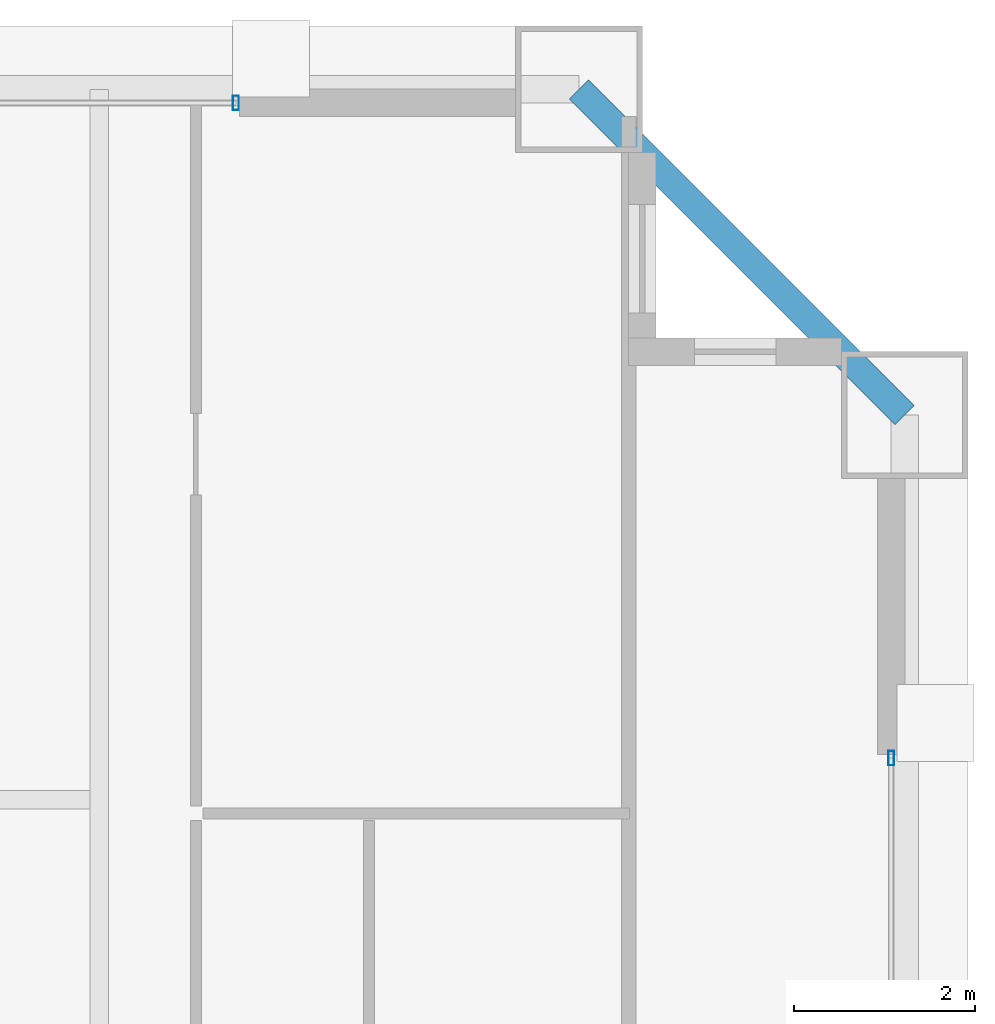
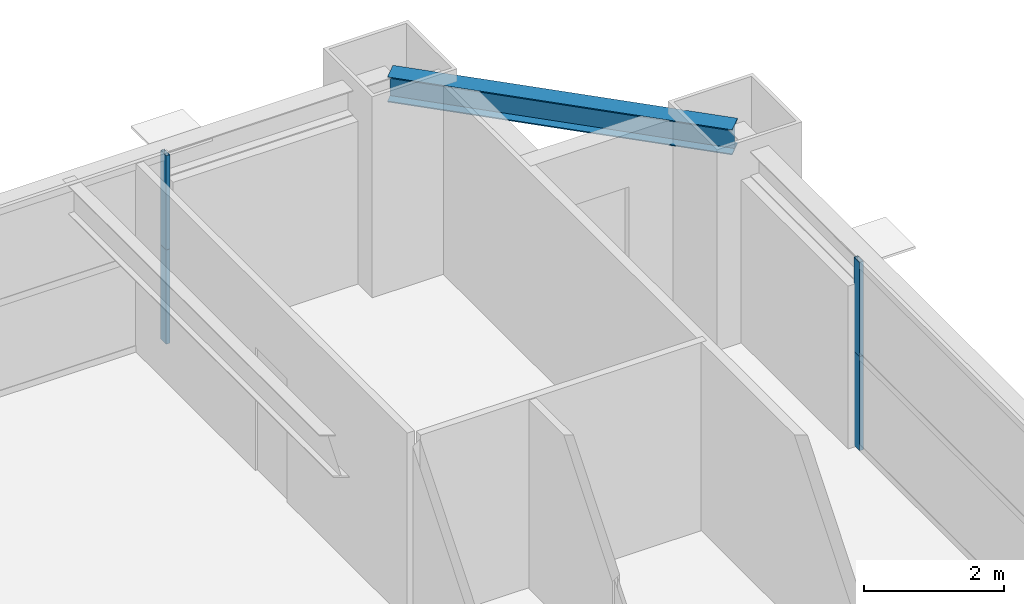
# One storey, part 31 of 38: 4 members, 1 beam, 2 elements without a shape of their own.
"""IFC4 building model written with IfcOpenShell, lengths in metres."""

from ifc_helpers import new_model, si_unit, direction, frame, origin, origin_2d, place, context, subcontext, project, spatial, hollow_rectangle, i_section, extrude, source, transform, mapped, material, layer, layer_set, material_profile, profile_set, type_object, element, aggregate, save


model = new_model("IFC4")

# Units and contexts
model_context = context("Model", 3, precision=1e-05, world=origin(), true_north=direction((0.0, 1.0)))
body_context = subcontext(model_context, "Body", "Model", "MODEL_VIEW")
ifc_project = project(units=[si_unit("LENGTHUNIT", "METRE"), si_unit("AREAUNIT", "SQUARE_METRE"), si_unit("VOLUMEUNIT", "CUBIC_METRE"), si_unit("PLANEANGLEUNIT", "RADIAN"), si_unit("MASSUNIT", "GRAM", prefix="KILO"), si_unit("THERMODYNAMICTEMPERATUREUNIT", "KELVIN"), si_unit("POWERUNIT", "WATT")], contexts=[model_context])

# Site, building, storey
site_placement = place(None, origin())
site = spatial("IfcSite", under=ifc_project, at=site_placement, CompositionType="ELEMENT")
building_placement = place(site_placement, origin())
building = spatial("IfcBuilding", under=site, at=building_placement, Name="Yuzanri Waterfront Tower", CompositionType="ELEMENT")
storey_placement = place(building_placement, frame((0.0, 0.0, 202.0)))
storey = spatial("IfcBuildingStorey", under=building, at=storey_placement, Name="L53", CompositionType="ELEMENT", Elevation=202.0)

# Beam
ifc_material_1 = material(Name="Steel Q355B", Category="steel")
ifc_material_profile_1 = material_profile(ifc_material_1, i_section(OverallWidth=0.300048828125, OverallDepth=0.43994140625, WebThickness=0.010986328125, FlangeThickness=0.01806640625, at=origin_2d()), Name="HM 440x300x11x18")
ifc_profile_set_1 = profile_set([ifc_material_profile_1], Name="Steel Q355B")
beam_type = type_object("IfcBeamType", Name="Perimeter Spandrel Q355B HM 440x300", PredefinedType="SPANDREL", material=ifc_profile_set_1)
shared_shape_1 = source(origin(), body_context, "Body", "SweptSolid", [
    extrude(i_section(OverallWidth=0.300048828125, OverallDepth=0.43994140625, WebThickness=0.010986328125, FlangeThickness=0.01806640625, at=origin_2d()), origin(), (0.0, 0.0, 1.0), 5.091064453125),
])
beam_placement = place(storey_placement, frame((59.10009765625, 44.300048828125, 3.06005859375), z_axis=(-0.707130757816, 0.707082803744, 0.0), x_axis=(-0.707082803744, -0.707130757816, 0.0)))
element("IfcBeam", 1, at=beam_placement, inside=storey, type_object=beam_type, Name="L53 Perimeter Spandrel E3-N3", PredefinedType="SPANDREL", context=body_context, shape_type="MappedRepresentation", body=[
    mapped(shared_shape_1, transform((0.0, 0.0, 0.0), scale=1.0)),
])

# Curtain wall, members
ifc_material_2 = material(Name="Anodized Architectural Bronze", Category="metal")
ifc_layer = layer(ifc_material_2, 0.159912109375)
ifc_layer_set = layer_set([ifc_layer], Name="Anodized Architectural Bronze")
curtain_wall_type = type_object("IfcCurtainWallType", Name="Anodized Bronze Mid-Rise Residential Acoustic Unitized Curtain Wall 7200", PredefinedType="NOTDEFINED", material=ifc_layer_set)
curtain_wall_1_placement = place(storey_placement, origin())
curtain_wall_1 = element("IfcCurtainWall", 2, at=curtain_wall_1_placement, inside=storey, type_object=curtain_wall_type, Name="L53 Curtain Wall CW-L53-NR", PredefinedType="NOTDEFINED")
ifc_material_3 = material(Name="Anodized Architectural Bronze", Category="metal")
ifc_material_profile_2 = material_profile(ifc_material_3, hollow_rectangle(XDim=0.06494140625, YDim=0.159912109375, WallThickness=0.00341796875, at=origin_2d()), Name="CWM 65x160")
ifc_profile_set_2 = profile_set([ifc_material_profile_2], Name="Anodized Architectural Bronze")
member_type = type_object("IfcMemberType", Name="Anodized Bronze Upper-Zone Curtain-Wall Mullion 65x160", PredefinedType="MULLION", material=ifc_profile_set_2)
shared_shape_2 = source(origin(), body_context, "Body", "SweptSolid", [
    extrude(hollow_rectangle(XDim=0.06494140625, YDim=0.159912109375, WallThickness=0.00341796875, at=origin_2d()), origin(), (0.0, 0.0, 1.0), 1.637939453125),
])
member_1_placement = place(storey_placement, frame((51.7099609375, 47.75, 0.0), z_axis=(0.0, 0.0, 1.0), x_axis=(1.0, 0.0, 0.0)))
member_1 = element("IfcMember", 3, at=member_1_placement, type_object=member_type, Name="CW-L53-NR Lower Mullion 02", PredefinedType="MULLION", context=body_context, shape_type="MappedRepresentation", body=[
    mapped(shared_shape_2, transform((0.0, 0.0, 0.0), scale=1.0)),
])
member_2_placement = place(storey_placement, frame((51.7099609375, 47.75, 1.64208984375), z_axis=(0.0, 0.0, 1.0), x_axis=(1.0, 0.0, 0.0)))
member_2 = element("IfcMember", 4, at=member_2_placement, type_object=member_type, Name="CW-L53-NR Upper Mullion 02", PredefinedType="MULLION", context=body_context, shape_type="MappedRepresentation", body=[
    mapped(shared_shape_2, transform((0.0, 0.0, 0.0), scale=1.0)),
])
aggregate(curtain_wall_1, [member_1, member_2])

curtain_wall_2_placement = place(storey_placement, origin())
curtain_wall_2 = element("IfcCurtainWall", 5, at=curtain_wall_2_placement, inside=storey, type_object=curtain_wall_type, Name="L53 Curtain Wall CW-L53-ER", PredefinedType="NOTDEFINED")
member_3_placement = place(storey_placement, frame((58.949951171875, 40.510009765625, 0.0), z_axis=(0.0, 0.0, 1.0), x_axis=(1.0, 0.0, 0.0)))
member_3 = element("IfcMember", 6, at=member_3_placement, type_object=member_type, Name="CW-L53-ER Lower Mullion 02", PredefinedType="MULLION", context=body_context, shape_type="MappedRepresentation", body=[
    mapped(shared_shape_2, transform((0.0, 0.0, 0.0), scale=1.0)),
])
member_4_placement = place(storey_placement, frame((58.949951171875, 40.510009765625, 1.64208984375), z_axis=(0.0, 0.0, 1.0), x_axis=(1.0, 0.0, 0.0)))
member_4 = element("IfcMember", 7, at=member_4_placement, type_object=member_type, Name="CW-L53-ER Upper Mullion 02", PredefinedType="MULLION", context=body_context, shape_type="MappedRepresentation", body=[
    mapped(shared_shape_2, transform((0.0, 0.0, 0.0), scale=1.0)),
])
aggregate(curtain_wall_2, [member_3, member_4])

save(model, "model.ifc")
